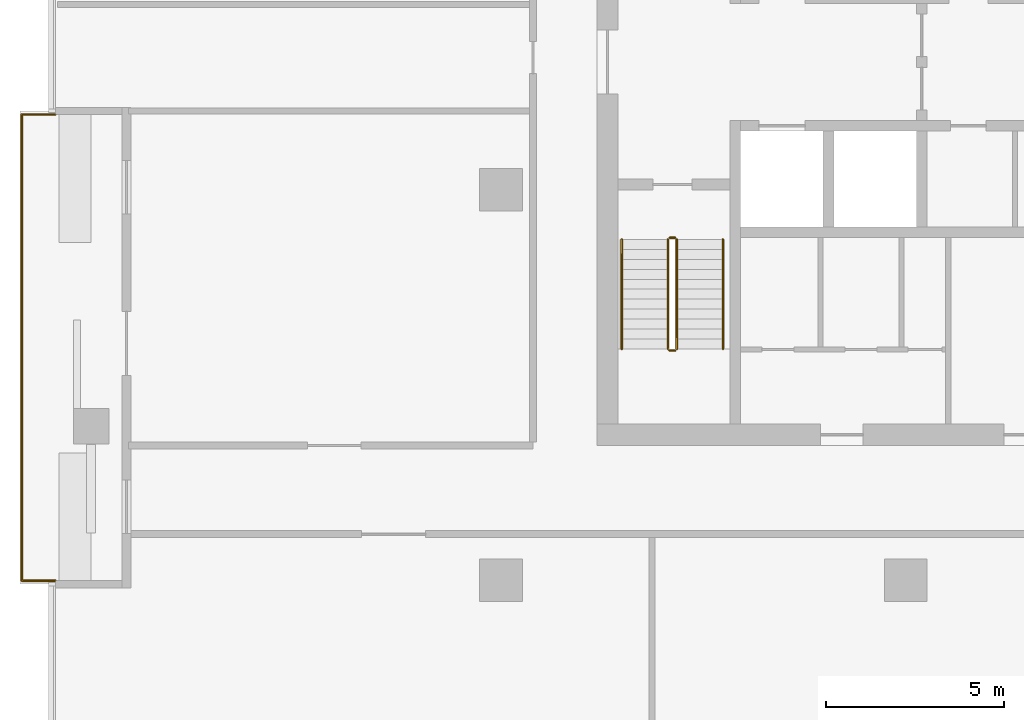
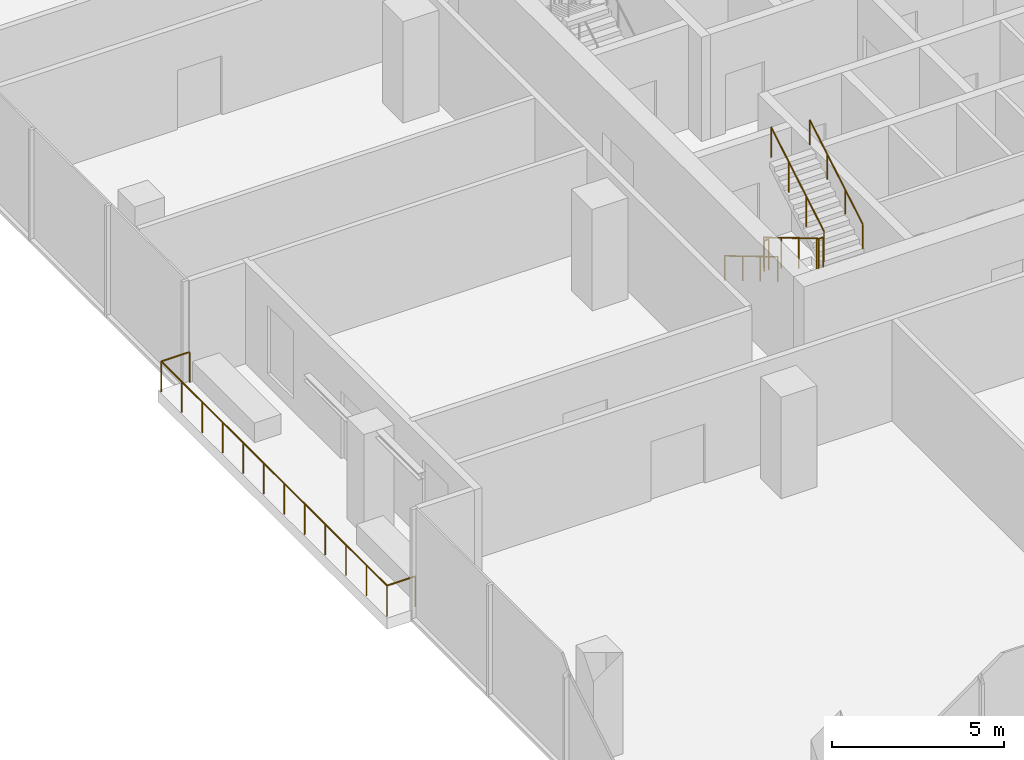
# One storey, part 11 of 13: 6 railings.
"""IFC4 building model written with IfcOpenShell, lengths in metres."""

from ifc_helpers import new_model, si_unit, direction, frame, origin, origin_2d, place, context, subcontext, project, spatial, circle, extrude, material, type_object, element, save


model = new_model("IFC4")

# Units and contexts
model_context = context("Model", 3, precision=1e-05, world=origin(), true_north=direction((0.0, 1.0)))
body_context = subcontext(model_context, "Body", "Model", "MODEL_VIEW")
ifc_project = project(units=[si_unit("LENGTHUNIT", "METRE"), si_unit("AREAUNIT", "SQUARE_METRE"), si_unit("VOLUMEUNIT", "CUBIC_METRE"), si_unit("PLANEANGLEUNIT", "RADIAN"), si_unit("MASSUNIT", "GRAM", prefix="KILO")], contexts=[model_context])

# Site, building, storey
site_placement = place(None, origin())
site = spatial("IfcSite", under=ifc_project, at=site_placement, CompositionType="ELEMENT")
building_placement = place(site_placement, origin())
building = spatial("IfcBuilding", under=site, at=building_placement, Name="Mopane Tessera Tower", CompositionType="ELEMENT")
storey_placement = place(building_placement, frame((0.0, 0.0, 283.39990234375)))
storey = spatial("IfcBuildingStorey", under=building, at=storey_placement, Name="L61", CompositionType="ELEMENT", Elevation=283.39990234375)

# Railings
ifc_material_1 = material(Name="Powder-coated steel balustrade", Category="steel")
railing_type_1 = type_object("IfcRailingType", Name="Escape stair guard 1100 mm", PredefinedType="GUARDRAIL", material=ifc_material_1)
railing_1_placement = place(storey_placement, frame((-12.39990234375, -1.39990234375, 0.166748046875)))
element("IfcRailing", 1, at=railing_1_placement, inside=storey, type_object=railing_type_1, Name="L61 ST1 stair guard 1", PredefinedType="GUARDRAIL", context=body_context, shape_type="SweptSolid", body=[
    extrude(circle(Radius=0.02392578125, at=origin_2d()), frame((0.0, 0.0, 1.076171875), z_axis=(0.0, -0.859308565015, 0.511457515432), x_axis=(1.0, 0.0, 0.0)), (0.0, 0.0, 1.0), 3.58447265625),
    extrude(circle(Radius=0.02392578125, at=origin_2d()), frame((0.0, -3.080078125, 2.9091796875), z_axis=(0.705375805398, -0.708833529934, 0.0), x_axis=(0.708833529934, 0.705375805398, 0.0)), (0.0, 0.0, 1.0), 0.070556640625),
    extrude(circle(Radius=0.02392578125, at=origin_2d()), frame((0.0498046875, -3.130126953125, 2.9091796875), z_axis=(1.0, 0.0, 0.0), x_axis=(0.0, 1.0, 0.0)), (0.0, 0.0, 1.0), 0.150146484375),
    extrude(circle(Radius=0.02099609375, at=origin_2d()), origin(), (0.0, 0.0, 1.0), 1.052001953125),
    extrude(circle(Radius=0.02099609375, at=origin_2d()), frame((0.0, -1.026611328125, 0.611083984375)), (0.0, 0.0, 1.0), 1.052001953125),
    extrude(circle(Radius=0.02099609375, at=origin_2d()), frame((0.0, -2.053466796875, 1.22216796875)), (0.0, 0.0, 1.0), 1.052001953125),
    extrude(circle(Radius=0.02099609375, at=origin_2d()), frame((0.0, -3.080078125, 1.833251953125)), (0.0, 0.0, 1.0), 1.052001953125),
    extrude(circle(Radius=0.02099609375, at=origin_2d()), frame((0.0498046875, -3.130126953125, 1.833251953125)), (0.0, 0.0, 1.0), 1.052001953125),
    extrude(circle(Radius=0.02099609375, at=origin_2d()), frame((0.199951171875, -3.130126953125, 1.833251953125)), (0.0, 0.0, 1.0), 1.052001953125),
])
railing_2_placement = place(storey_placement, frame((-12.14990234375, -4.47998046875, 2.166748046875)))
element("IfcRailing", 2, at=railing_2_placement, inside=storey, type_object=railing_type_1, Name="L61 ST1 stair guard 2", PredefinedType="GUARDRAIL", context=body_context, shape_type="SweptSolid", body=[
    extrude(circle(Radius=0.02392578125, at=origin_2d()), frame((0.0, 0.0, 1.076171875), z_axis=(0.0, 0.859308565015, 0.511457515432), x_axis=(-1.0, 0.0, 0.0)), (0.0, 0.0, 1.0), 3.58447265625),
    extrude(circle(Radius=0.02099609375, at=origin_2d()), origin(), (0.0, 0.0, 1.0), 1.052001953125),
    extrude(circle(Radius=0.02099609375, at=origin_2d()), frame((0.0, 1.026611328125, 0.611083984375)), (0.0, 0.0, 1.0), 1.052001953125),
    extrude(circle(Radius=0.02099609375, at=origin_2d()), frame((0.0, 2.053466796875, 1.22216796875)), (0.0, 0.0, 1.0), 1.052001953125),
    extrude(circle(Radius=0.02099609375, at=origin_2d()), frame((0.0, 3.080078125, 1.833251953125)), (0.0, 0.0, 1.0), 1.052001953125),
])
railing_3_placement = place(storey_placement, frame((-12.35009765625, -1.35009765625, 0.0)))
element("IfcRailing", 3, at=railing_3_placement, inside=storey, type_object=railing_type_1, Name="L61 ST1 stair guard 3", PredefinedType="GUARDRAIL", context=body_context, shape_type="SweptSolid", body=[
    extrude(circle(Radius=0.02392578125, at=origin_2d()), frame((0.0, 0.0, 1.076171875), z_axis=(1.0, 0.0, 0.0), x_axis=(0.0, 1.0, 0.0)), (0.0, 0.0, 1.0), 0.150146484375),
    extrude(circle(Radius=0.02099609375, at=origin_2d()), origin(), (0.0, 0.0, 1.0), 1.052001953125),
    extrude(circle(Radius=0.02099609375, at=origin_2d()), frame((0.150146484375, 0.0, 0.0)), (0.0, 0.0, 1.0), 1.052001953125),
])
ifc_material_2 = material(Name="Powder-coated steel balustrade", Category="steel")
railing_type_2 = type_object("IfcRailingType", Name="Escape stair handrail 900 mm", PredefinedType="HANDRAIL", material=ifc_material_2)
railing_4_placement = place(storey_placement, frame((-13.699951171875, -1.39990234375, 0.166748046875)))
element("IfcRailing", 4, at=railing_4_placement, inside=storey, type_object=railing_type_2, Name="L61 ST1 stair handrail 1", PredefinedType="HANDRAIL", context=body_context, shape_type="SweptSolid", body=[
    extrude(circle(Radius=0.02392578125, at=origin_2d()), frame((0.0, 0.0, 0.8759765625), z_axis=(0.0, -0.859308565015, 0.511457515432), x_axis=(1.0, 0.0, 0.0)), (0.0, 0.0, 1.0), 3.58447265625),
    extrude(circle(Radius=0.02099609375, at=origin_2d()), origin(), (0.0, 0.0, 1.0), 0.851806640625),
    extrude(circle(Radius=0.02099609375, at=origin_2d()), frame((0.0, -1.026611328125, 0.611083984375)), (0.0, 0.0, 1.0), 0.851806640625),
    extrude(circle(Radius=0.02099609375, at=origin_2d()), frame((0.0, -2.053466796875, 1.22216796875)), (0.0, 0.0, 1.0), 0.851806640625),
    extrude(circle(Radius=0.02099609375, at=origin_2d()), frame((0.0, -3.080078125, 1.833251953125)), (0.0, 0.0, 1.0), 0.851806640625),
])
railing_5_placement = place(storey_placement, frame((-10.85009765625, -4.47998046875, 2.166748046875)))
element("IfcRailing", 5, at=railing_5_placement, inside=storey, type_object=railing_type_2, Name="L61 ST1 stair handrail 2", PredefinedType="HANDRAIL", context=body_context, shape_type="SweptSolid", body=[
    extrude(circle(Radius=0.02392578125, at=origin_2d()), frame((0.0, 0.0, 0.8759765625), z_axis=(0.0, 0.859308565015, 0.511457515432), x_axis=(-1.0, 0.0, 0.0)), (0.0, 0.0, 1.0), 3.58447265625),
    extrude(circle(Radius=0.02099609375, at=origin_2d()), origin(), (0.0, 0.0, 1.0), 0.851806640625),
    extrude(circle(Radius=0.02099609375, at=origin_2d()), frame((0.0, 1.026611328125, 0.611083984375)), (0.0, 0.0, 1.0), 0.851806640625),
    extrude(circle(Radius=0.02099609375, at=origin_2d()), frame((0.0, 2.053466796875, 1.22216796875)), (0.0, 0.0, 1.0), 0.851806640625),
    extrude(circle(Radius=0.02099609375, at=origin_2d()), frame((0.0, 3.080078125, 1.833251953125)), (0.0, 0.0, 1.0), 0.851806640625),
])
ifc_material_3 = material(Name="Stainless steel S316", Category="steel")
railing_type_3 = type_object("IfcRailingType", Name="Terrace guard 1100", PredefinedType="GUARDRAIL", material=ifc_material_3)
railing_6_placement = place(storey_placement, frame((-29.64990234375, 2.122314453125, 0.0)))
element("IfcRailing", 6, at=railing_6_placement, inside=storey, type_object=railing_type_3, Name="e:nw:L61:N3:guard", PredefinedType="GUARDRAIL", context=body_context, shape_type="SweptSolid", body=[
    extrude(circle(Radius=0.02392578125, at=origin_2d()), frame((0.0, 0.0, 1.076171875), z_axis=(-1.0, 0.0, 0.0), x_axis=(0.0, -1.0, 0.0)), (0.0, 0.0, 1.0), 0.9501953125),
    extrude(circle(Radius=0.02392578125, at=origin_2d()), frame((-0.9501953125, 0.0, 1.076171875), z_axis=(0.0, -1.0, 0.0), x_axis=(1.0, 0.0, 0.0)), (0.0, 0.0, 1.0), 13.133544921875),
    extrude(circle(Radius=0.02392578125, at=origin_2d()), frame((-0.9501953125, -13.133544921875, 1.076171875), z_axis=(1.0, 0.0, 0.0), x_axis=(0.0, 1.0, 0.0)), (0.0, 0.0, 1.0), 0.9501953125),
    extrude(circle(Radius=0.02099609375, at=origin_2d()), origin(), (0.0, 0.0, 1.0), 1.052001953125),
    extrude(circle(Radius=0.02099609375, at=origin_2d()), frame((-0.9501953125, 0.0, 0.0)), (0.0, 0.0, 1.0), 1.052001953125),
    extrude(circle(Radius=0.02099609375, at=origin_2d()), frame((-0.9501953125, -1.19384765625, 0.0)), (0.0, 0.0, 1.0), 1.052001953125),
    extrude(circle(Radius=0.02099609375, at=origin_2d()), frame((-0.9501953125, -2.387939453125, 0.0)), (0.0, 0.0, 1.0), 1.052001953125),
    extrude(circle(Radius=0.02099609375, at=origin_2d()), frame((-0.9501953125, -3.581787109375, 0.0)), (0.0, 0.0, 1.0), 1.052001953125),
    extrude(circle(Radius=0.02099609375, at=origin_2d()), frame((-0.9501953125, -4.77587890625, 0.0)), (0.0, 0.0, 1.0), 1.052001953125),
    extrude(circle(Radius=0.02099609375, at=origin_2d()), frame((-0.9501953125, -5.9697265625, 0.0)), (0.0, 0.0, 1.0), 1.052001953125),
    extrude(circle(Radius=0.02099609375, at=origin_2d()), frame((-0.9501953125, -7.163818359375, 0.0)), (0.0, 0.0, 1.0), 1.052001953125),
    extrude(circle(Radius=0.02099609375, at=origin_2d()), frame((-0.9501953125, -8.357666015625, 0.0)), (0.0, 0.0, 1.0), 1.052001953125),
    extrude(circle(Radius=0.02099609375, at=origin_2d()), frame((-0.9501953125, -9.5517578125, 0.0)), (0.0, 0.0, 1.0), 1.052001953125),
    extrude(circle(Radius=0.02099609375, at=origin_2d()), frame((-0.9501953125, -10.74560546875, 0.0)), (0.0, 0.0, 1.0), 1.052001953125),
    extrude(circle(Radius=0.02099609375, at=origin_2d()), frame((-0.9501953125, -11.939697265625, 0.0)), (0.0, 0.0, 1.0), 1.052001953125),
    extrude(circle(Radius=0.02099609375, at=origin_2d()), frame((-0.9501953125, -13.133544921875, 0.0)), (0.0, 0.0, 1.0), 1.052001953125),
    extrude(circle(Radius=0.02099609375, at=origin_2d()), frame((0.0, -13.133544921875, 0.0)), (0.0, 0.0, 1.0), 1.052001953125),
])

save(model, "model.ifc")
